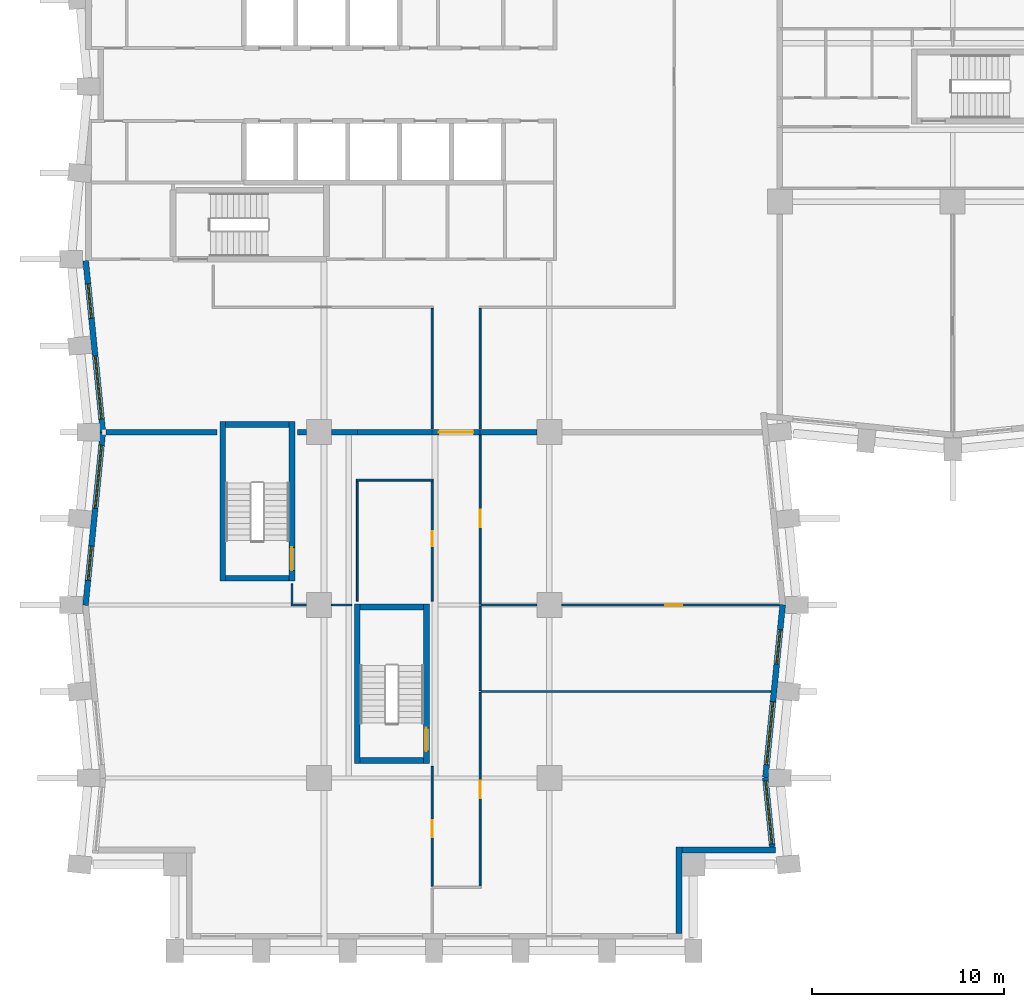
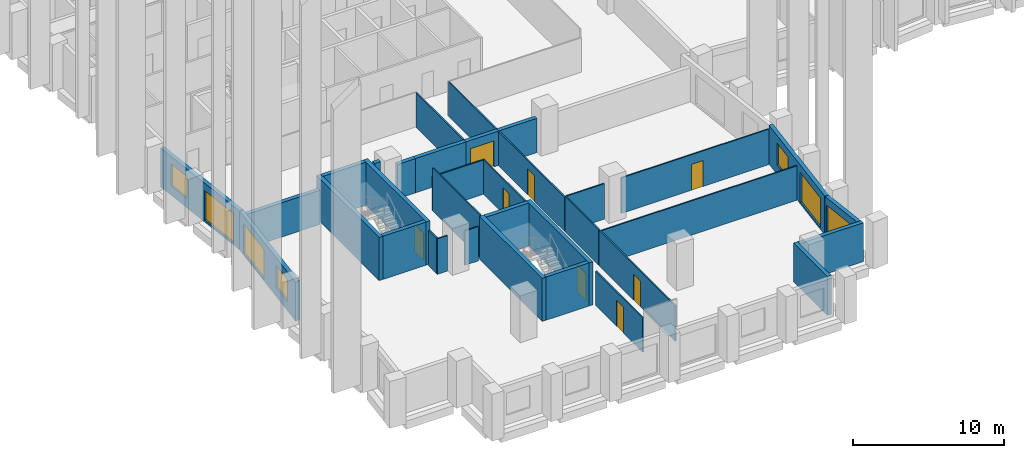
# One storey, part 4 of 12: 35 walls, 8 doors, 7 windows, 15 openings.
"""IFC4 building model written with IfcOpenShell, lengths in metres."""

from ifc_helpers import new_model, si_unit, direction, frame, frame_2d, origin, place, context, subcontext, project, spatial, rectangle, extrude, material, layer, layer_set, type_object, element, fill, save


model = new_model("IFC4")

# Units and contexts
model_context = context("Model", 3, precision=1e-05, world=origin(), true_north=direction((0.0, 1.0)))
body_context = subcontext(model_context, "Body", "Model", "MODEL_VIEW")
ifc_project = project(units=[si_unit("LENGTHUNIT", "METRE"), si_unit("AREAUNIT", "SQUARE_METRE"), si_unit("VOLUMEUNIT", "CUBIC_METRE"), si_unit("PLANEANGLEUNIT", "RADIAN"), si_unit("MASSUNIT", "GRAM", prefix="KILO")], contexts=[model_context])

# Site, building, storey
site_placement = place(None, origin())
site = spatial("IfcSite", under=ifc_project, at=site_placement, CompositionType="ELEMENT")
building_placement = place(site_placement, origin())
building = spatial("IfcBuilding", under=site, at=building_placement, Name="Brondeck Convention Tower", CompositionType="ELEMENT")
storey_placement = place(building_placement, frame((0.0, 0.0, 88.5)))
storey = spatial("IfcBuildingStorey", under=building, at=storey_placement, Name="L20", CompositionType="ELEMENT", Elevation=88.5)

# Walls
ifc_material_1 = material(Name="Concrete compartment wall C30/37", Category="concrete")
ifc_layer_1 = layer(ifc_material_1, 0.300048828125)
ifc_layer_set_1 = layer_set([ifc_layer_1], Name="Compartment wall 300")
wall_type_1 = type_object("IfcWallType", Name="Compartment wall 300", PredefinedType="PARTITIONING", material=ifc_layer_set_1)
wall_1_placement = place(storey_placement, frame((0.924560546875, 27.0, 0.0), z_axis=(0.0, 0.0, 1.0), x_axis=(1.0, 0.0, 0.0)))
element("IfcWall", 1, at=wall_1_placement, inside=storey, type_object=wall_type_1, Name="FLR-L20-W016", PredefinedType="PARTITIONING", context=body_context, shape_type="SweptSolid", body=[
    extrude(rectangle(XDim=5.775390625, YDim=0.300048828125, at=frame_2d((2.8876953125, 0.0))), origin(), (0.0, 0.0, 1.0), 2.780029296875),
])
wall_2_placement = place(storey_placement, frame((10.89990234375, 27.0, 0.0), z_axis=(0.0, 0.0, 1.0), x_axis=(1.0, 0.0, 0.0)))
element("IfcWall", 2, at=wall_2_placement, inside=storey, type_object=wall_type_1, Name="FLR-L20-W017", PredefinedType="PARTITIONING", context=body_context, shape_type="SweptSolid", body=[
    extrude(rectangle(XDim=0.445068359375, YDim=0.300048828125, at=frame_2d((0.22265625, 0.0))), origin(), (0.0, 0.0, 1.0), 3.47998046875),
])
wall_3_placement = place(storey_placement, frame((12.655029296875, 27.0, 0.0), z_axis=(0.0, 0.0, 1.0), x_axis=(1.0, 0.0, 0.0)))
element("IfcWall", 3, at=wall_3_placement, inside=storey, type_object=wall_type_1, Name="FLR-L20-W018", PredefinedType="PARTITIONING", context=body_context, shape_type="SweptSolid", body=[
    extrude(rectangle(XDim=1.344970703125, YDim=0.300048828125, at=frame_2d((0.67236328125, 0.0))), origin(), (0.0, 0.0, 1.0), 2.780029296875),
])
wall_4_placement = place(storey_placement, frame((14.0, 27.0, 0.0), z_axis=(0.0, 0.0, 1.0), x_axis=(1.0, 0.0, 0.0)))
element("IfcWall", 4, at=wall_4_placement, inside=storey, type_object=wall_type_1, Name="FLR-L20-W019", PredefinedType="PARTITIONING", context=body_context, shape_type="SweptSolid", body=[
    extrude(rectangle(XDim=3.89990234375, YDim=0.300048828125, at=frame_2d((1.949951171875, 0.0))), origin(), (0.0, 0.0, 1.0), 2.780029296875),
])

# Wall, opening, door
wall_5_placement = place(storey_placement, frame((20.39990234375, 27.0, 0.0), z_axis=(0.0, 0.0, 1.0), x_axis=(-1.0, 0.0, 0.0)))
wall_5 = element("IfcWall", 5, at=wall_5_placement, inside=storey, type_object=wall_type_1, Name="FLR-L20-W020", PredefinedType="PARTITIONING", context=body_context, shape_type="SweptSolid", body=[
    extrude(rectangle(XDim=2.5, YDim=0.300048828125, at=frame_2d((1.25, 0.0))), origin(), (0.0, 0.0, 1.0), 2.780029296875),
])
opening_1_placement = place(wall_5_placement, frame((0.35009765625, 0.0, 0.0)))
opening_1 = element("IfcOpeningElement", 6, at=opening_1_placement, cuts=wall_5, Name="Opening OF-A-024", PredefinedType="OPENING", context=body_context, shape_type="SweptSolid", body=[
    extrude(rectangle(XDim=1.800048828125, YDim=2.10009765625, at=frame_2d((0.89990234375, 1.050048828125))), frame((0.0, 0.159912109375, 0.0), z_axis=(0.0, -1.0, 0.0), x_axis=(1.0, 0.0, 0.0)), (0.0, 0.0, 1.0), 0.320068359375),
])
ifc_material_2 = material(Name="Steel fire door pair", Category="steel")
door_type_1 = type_object("IfcDoorType", Name="Fire door pair 1800", OperationType="DOUBLE_DOOR_SINGLE_SWING", PredefinedType="DOOR", material=ifc_material_2)
door_1_placement = place(opening_1_placement, origin())
door_1 = element("IfcDoor", 7, at=door_1_placement, inside=storey, type_object=door_type_1, Name="Door OF-A-024", OperationType="DOUBLE_DOOR_SINGLE_SWING", OverallHeight=2.10009765625, OverallWidth=1.800048828125, PredefinedType="DOOR", context=body_context, shape_type="SweptSolid", body=[
    extrude(rectangle(XDim=1.800048828125, YDim=2.10009765625, at=frame_2d((0.89990234375, 1.050048828125))), frame((0.0, 0.02490234375, 0.0), z_axis=(0.0, -1.0, 0.0), x_axis=(1.0, 0.0, 0.0)), (0.0, 0.0, 1.0), 0.050048828125),
])
fill(opening_1, door_1)

# Walls
wall_6_placement = place(storey_placement, frame((20.39990234375, 27.0, 0.0), z_axis=(0.0, 0.0, 1.0), x_axis=(1.0, 0.0, 0.0)))
element("IfcWall", 8, at=wall_6_placement, inside=storey, type_object=wall_type_1, Name="FLR-L20-W021", PredefinedType="PARTITIONING", context=body_context, shape_type="SweptSolid", body=[
    extrude(rectangle(XDim=2.945068359375, YDim=0.300048828125, at=frame_2d((1.47265625, 0.0))), origin(), (0.0, 0.0, 1.0), 2.780029296875),
])
ifc_material_3 = material(Name="Precast concrete C50/60 bronze finish", Category="concrete")
ifc_layer_2 = layer(ifc_material_3, 0.070068359375, Name="Bronze precast facing")
ifc_material_4 = material(Name="Mineral wool")
ifc_layer_3 = layer(ifc_material_4, 0.159912109375, Name="Insulation")
ifc_material_5 = material(Name="Concrete C35/45", Category="concrete")
ifc_layer_4 = layer(ifc_material_5, 0.070068359375, Name="Backing")
ifc_layer_set_2 = layer_set([ifc_layer_2, ifc_layer_3, ifc_layer_4], Name="External infill wall, precast concrete C50/60 bronze facing")
wall_type_2 = type_object("IfcWallType", Name="External infill wall, precast concrete C50/60 bronze facing", PredefinedType="SOLIDWALL", material=ifc_layer_set_2)
wall_7_placement = place(storey_placement, frame((30.75, 5.39990234375, 0.0), z_axis=(0.0, 0.0, 1.0), x_axis=(0.0, -1.0, 0.0)))
element("IfcWall", 9, at=wall_7_placement, inside=storey, type_object=wall_type_2, Name="ENV-EW-L20-P0-NC-SEB0-01", PredefinedType="SOLIDWALL", context=body_context, shape_type="SweptSolid", body=[
    extrude(rectangle(XDim=4.501953125, YDim=0.300048828125, at=frame_2d((2.2509765625, 0.0))), origin(), (0.0, 0.0, 1.0), 3.14990234375),
])
wall_8_placement = place(storey_placement, frame((35.787109375, 5.25, 0.0), z_axis=(0.0, 0.0, 1.0), x_axis=(-1.0, 0.0, 0.0)))
element("IfcWall", 10, at=wall_8_placement, inside=storey, type_object=wall_type_2, Name="ENV-EW-L20-P0-NC-SEB0-02", PredefinedType="SOLIDWALL", context=body_context, shape_type="SweptSolid", body=[
    extrude(rectangle(XDim=4.88720703125, YDim=0.300048828125, at=frame_2d((2.443603515625, 0.0))), origin(), (0.0, 0.0, 1.0), 3.14990234375),
])

# Wall, opening, window
wall_9_placement = place(storey_placement, frame((35.244873046875, 9.014892578125, 0.0), z_axis=(0.0, 0.0, 1.0), x_axis=(0.099470401798, -0.995040521369, 0.0)))
wall_9 = element("IfcWall", 11, at=wall_9_placement, inside=storey, type_object=wall_type_2, Name="ENV-EW-L20-P0-B-E-04", PredefinedType="SOLIDWALL", context=body_context, shape_type="SweptSolid", body=[
    extrude(rectangle(XDim=3.627685546875, YDim=0.300048828125, at=frame_2d((1.81396484375, 0.0))), origin(), (0.0, 0.0, 1.0), 3.14990234375),
])
opening_2_placement = place(wall_9_placement, frame((0.177734375, 0.0, 0.14990234375)))
opening_2 = element("IfcOpeningElement", 12, at=opening_2_placement, cuts=wall_9, Name="Opening W9", PredefinedType="OPENING", context=body_context, shape_type="SweptSolid", body=[
    extrude(rectangle(XDim=3.300048828125, YDim=2.39990234375, at=frame_2d((1.64990234375, 1.199951171875))), frame((0.0, 0.159912109375, 0.0), z_axis=(0.0, -1.0, 0.0), x_axis=(1.0, 0.0, 0.0)), (0.0, 0.0, 1.0), 0.320068359375),
])
ifc_material_6 = material(Name="Bronze tinted double glazing", Category="glass")
window_type_1 = type_object("IfcWindowType", Name="Glazed flute window, bronze tinted", PartitioningType="SINGLE_PANEL", PredefinedType="WINDOW", material=ifc_material_6)
window_1_placement = place(opening_2_placement, origin())
window_1 = element("IfcWindow", 13, at=window_1_placement, inside=storey, type_object=window_type_1, Name="ENV-WN-L20-P0-B-E-04", OverallHeight=2.39990234375, OverallWidth=3.300048828125, PartitioningType="SINGLE_PANEL", PredefinedType="WINDOW", context=body_context, shape_type="SweptSolid", body=[
    extrude(rectangle(XDim=3.300048828125, YDim=2.39990234375, at=frame_2d((1.64990234375, 1.199951171875))), frame((0.0, 0.030029296875, 0.0), z_axis=(0.0, -1.0, 0.0), x_axis=(1.0, 0.0, 0.0)), (0.0, 0.0, 1.0), 0.06005859375),
])
fill(opening_2, window_1)

# Wall, openings, windows
wall_10_placement = place(storey_placement, frame((36.147705078125, 18.014892578125, 0.0), z_axis=(0.0, 0.0, 1.0), x_axis=(-0.099495688264, -0.995037993253, 0.0)))
wall_10 = element("IfcWall", 14, at=wall_10_placement, inside=storey, type_object=wall_type_2, Name="ENV-EW-L20-P0-B-E-03", PredefinedType="SOLIDWALL", context=body_context, shape_type="SweptSolid", body=[
    extrude(rectangle(XDim=9.030029296875, YDim=0.300048828125, at=frame_2d((4.51513671875, 0.0))), origin(), (0.0, 0.0, 1.0), 3.14990234375),
])
opening_3_placement = place(wall_10_placement, frame((1.30126953125, 0.0, 0.75)))
opening_3 = element("IfcOpeningElement", 15, at=opening_3_placement, cuts=wall_10, Name="Opening W10", PredefinedType="OPENING", context=body_context, shape_type="SweptSolid", body=[
    extrude(rectangle(XDim=1.800048828125, YDim=1.800048828125, at=frame_2d((0.89990234375, 0.89990234375))), frame((0.0, 0.159912109375, 0.0), z_axis=(0.0, -1.0, 0.0), x_axis=(1.0, 0.0, 0.0)), (0.0, 0.0, 1.0), 0.320068359375),
])
opening_4_placement = place(wall_10_placement, frame((5.073486328125, 0.0, 0.14990234375)))
opening_4 = element("IfcOpeningElement", 16, at=opening_4_placement, cuts=wall_10, Name="Opening W9", PredefinedType="OPENING", context=body_context, shape_type="SweptSolid", body=[
    extrude(rectangle(XDim=3.300048828125, YDim=2.39990234375, at=frame_2d((1.64990234375, 1.199951171875))), frame((0.0, 0.159912109375, 0.0), z_axis=(0.0, -1.0, 0.0), x_axis=(1.0, 0.0, 0.0)), (0.0, 0.0, 1.0), 0.320068359375),
])
window_2_placement = place(opening_4_placement, origin())
window_2 = element("IfcWindow", 17, at=window_2_placement, inside=storey, type_object=window_type_1, Name="ENV-WN-L20-P0-B-E-03", OverallHeight=2.39990234375, OverallWidth=3.300048828125, PartitioningType="SINGLE_PANEL", PredefinedType="WINDOW", context=body_context, shape_type="SweptSolid", body=[
    extrude(rectangle(XDim=3.300048828125, YDim=2.39990234375, at=frame_2d((1.64990234375, 1.199951171875))), frame((0.0, 0.030029296875, 0.0), z_axis=(0.0, -1.0, 0.0), x_axis=(1.0, 0.0, 0.0)), (0.0, 0.0, 1.0), 0.06005859375),
])
fill(opening_4, window_2)
window_type_2 = type_object("IfcWindowType", Name="Punched window, bronze tinted", PartitioningType="SINGLE_PANEL", PredefinedType="WINDOW", material=ifc_material_6)
window_3_placement = place(opening_3_placement, origin())
window_3 = element("IfcWindow", 18, at=window_3_placement, inside=storey, type_object=window_type_2, Name="ENV-WN-L20-P0-B-E-02", OverallHeight=1.800048828125, OverallWidth=1.800048828125, PartitioningType="SINGLE_PANEL", PredefinedType="WINDOW", context=body_context, shape_type="SweptSolid", body=[
    extrude(rectangle(XDim=1.800048828125, YDim=1.800048828125, at=frame_2d((0.89990234375, 0.89990234375))), frame((0.0, 0.030029296875, 0.0), z_axis=(0.0, -1.0, 0.0), x_axis=(1.0, 0.0, 0.0)), (0.0, 0.0, 1.0), 0.06005859375),
])
fill(opening_3, window_3)

wall_11_placement = place(storey_placement, frame((0.755126953125, 26.985107421875, 0.0), z_axis=(0.0, 0.0, 1.0), x_axis=(-0.099479505633, 0.995039611251, 0.0)))
wall_11 = element("IfcWall", 19, at=wall_11_placement, inside=storey, type_object=wall_type_2, Name="ENV-EW-L20-P0-B-W-06", PredefinedType="SOLIDWALL", context=body_context, shape_type="SweptSolid", body=[
    extrude(rectangle(XDim=8.98486328125, YDim=0.300048828125, at=frame_2d((4.492431640625, 0.0))), origin(), (0.0, 0.0, 1.0), 3.14990234375),
])
opening_5_placement = place(wall_11_placement, frame((0.701171875, 0.0, 0.14990234375)))
opening_5 = element("IfcOpeningElement", 20, at=opening_5_placement, cuts=wall_11, Name="Opening W9", PredefinedType="OPENING", context=body_context, shape_type="SweptSolid", body=[
    extrude(rectangle(XDim=3.300048828125, YDim=2.39990234375, at=frame_2d((1.64990234375, 1.199951171875))), frame((0.0, 0.159912109375, 0.0), z_axis=(0.0, -1.0, 0.0), x_axis=(1.0, 0.0, 0.0)), (0.0, 0.0, 1.0), 0.320068359375),
])
opening_6_placement = place(wall_11_placement, frame((5.9736328125, 0.0, 0.75)))
opening_6 = element("IfcOpeningElement", 21, at=opening_6_placement, cuts=wall_11, Name="Opening W10", PredefinedType="OPENING", context=body_context, shape_type="SweptSolid", body=[
    extrude(rectangle(XDim=1.800048828125, YDim=1.800048828125, at=frame_2d((0.89990234375, 0.89990234375))), frame((0.0, 0.159912109375, 0.0), z_axis=(0.0, -1.0, 0.0), x_axis=(1.0, 0.0, 0.0)), (0.0, 0.0, 1.0), 0.320068359375),
])
window_4_placement = place(opening_5_placement, origin())
window_4 = element("IfcWindow", 22, at=window_4_placement, inside=storey, type_object=window_type_1, Name="ENV-WN-L20-P0-B-W-07", OverallHeight=2.39990234375, OverallWidth=3.300048828125, PartitioningType="SINGLE_PANEL", PredefinedType="WINDOW", context=body_context, shape_type="SweptSolid", body=[
    extrude(rectangle(XDim=3.300048828125, YDim=2.39990234375, at=frame_2d((1.64990234375, 1.199951171875))), frame((0.0, 0.030029296875, 0.0), z_axis=(0.0, -1.0, 0.0), x_axis=(1.0, 0.0, 0.0)), (0.0, 0.0, 1.0), 0.06005859375),
])
fill(opening_5, window_4)
window_5_placement = place(opening_6_placement, origin())
window_5 = element("IfcWindow", 23, at=window_5_placement, inside=storey, type_object=window_type_2, Name="ENV-WN-L20-P0-B-W-06", OverallHeight=1.800048828125, OverallWidth=1.800048828125, PartitioningType="SINGLE_PANEL", PredefinedType="WINDOW", context=body_context, shape_type="SweptSolid", body=[
    extrude(rectangle(XDim=1.800048828125, YDim=1.800048828125, at=frame_2d((0.89990234375, 0.89990234375))), frame((0.0, 0.030029296875, 0.0), z_axis=(0.0, -1.0, 0.0), x_axis=(1.0, 0.0, 0.0)), (0.0, 0.0, 1.0), 0.06005859375),
])
fill(opening_6, window_5)

wall_12_placement = place(storey_placement, frame((-0.147705078125, 17.985107421875, 0.0), z_axis=(0.0, 0.0, 1.0), x_axis=(0.099495688264, 0.995037993253, 0.0)))
wall_12 = element("IfcWall", 24, at=wall_12_placement, inside=storey, type_object=wall_type_2, Name="ENV-EW-L20-P0-B-W-08", PredefinedType="SOLIDWALL", context=body_context, shape_type="SweptSolid", body=[
    extrude(rectangle(XDim=9.030029296875, YDim=0.300048828125, at=frame_2d((4.51513671875, 0.0))), origin(), (0.0, 0.0, 1.0), 3.14990234375),
])
opening_7_placement = place(wall_12_placement, frame((1.30126953125, 0.0, 0.75)))
opening_7 = element("IfcOpeningElement", 25, at=opening_7_placement, cuts=wall_12, Name="Opening W10", PredefinedType="OPENING", context=body_context, shape_type="SweptSolid", body=[
    extrude(rectangle(XDim=1.800048828125, YDim=1.800048828125, at=frame_2d((0.89990234375, 0.89990234375))), frame((0.0, 0.159912109375, 0.0), z_axis=(0.0, -1.0, 0.0), x_axis=(1.0, 0.0, 0.0)), (0.0, 0.0, 1.0), 0.320068359375),
])
opening_8_placement = place(wall_12_placement, frame((5.073486328125, 0.0, 0.14990234375)))
opening_8 = element("IfcOpeningElement", 26, at=opening_8_placement, cuts=wall_12, Name="Opening W9", PredefinedType="OPENING", context=body_context, shape_type="SweptSolid", body=[
    extrude(rectangle(XDim=3.300048828125, YDim=2.39990234375, at=frame_2d((1.64990234375, 1.199951171875))), frame((0.0, 0.159912109375, 0.0), z_axis=(0.0, -1.0, 0.0), x_axis=(1.0, 0.0, 0.0)), (0.0, 0.0, 1.0), 0.320068359375),
])
window_6_placement = place(opening_8_placement, origin())
window_6 = element("IfcWindow", 27, at=window_6_placement, inside=storey, type_object=window_type_1, Name="ENV-WN-L20-P0-B-W-08", OverallHeight=2.39990234375, OverallWidth=3.300048828125, PartitioningType="SINGLE_PANEL", PredefinedType="WINDOW", context=body_context, shape_type="SweptSolid", body=[
    extrude(rectangle(XDim=3.300048828125, YDim=2.39990234375, at=frame_2d((1.64990234375, 1.199951171875))), frame((0.0, 0.030029296875, 0.0), z_axis=(0.0, -1.0, 0.0), x_axis=(1.0, 0.0, 0.0)), (0.0, 0.0, 1.0), 0.06005859375),
])
fill(opening_8, window_6)
window_7_placement = place(opening_7_placement, origin())
window_7 = element("IfcWindow", 28, at=window_7_placement, inside=storey, type_object=window_type_2, Name="ENV-WN-L20-P0-B-W-09", OverallHeight=1.800048828125, OverallWidth=1.800048828125, PartitioningType="SINGLE_PANEL", PredefinedType="WINDOW", context=body_context, shape_type="SweptSolid", body=[
    extrude(rectangle(XDim=1.800048828125, YDim=1.800048828125, at=frame_2d((0.89990234375, 0.89990234375))), frame((0.0, 0.030029296875, 0.0), z_axis=(0.0, -1.0, 0.0), x_axis=(1.0, 0.0, 0.0)), (0.0, 0.0, 1.0), 0.06005859375),
])
fill(opening_7, window_7)

# Wall, opening, door
ifc_material_7 = material(Name="Gypsum board partition on steel studs", Category="steel")
ifc_layer_5 = layer(ifc_material_7, 0.10009765625)
ifc_layer_set_3 = layer_set([ifc_layer_5], Name="Room partition 100")
wall_type_3 = type_object("IfcWallType", Name="Room partition 100", PredefinedType="PARTITIONING", material=ifc_layer_set_3)
wall_13_placement = place(storey_placement, frame((17.89990234375, 3.35009765625, 0.0), z_axis=(0.0, 0.0, 1.0), x_axis=(0.0, 1.0, 0.0)))
wall_13 = element("IfcWall", 29, at=wall_13_placement, inside=storey, type_object=wall_type_3, Name="FLR-L20-W003", PredefinedType="PARTITIONING", context=body_context, shape_type="SweptSolid", body=[
    extrude(rectangle(XDim=6.25, YDim=0.10009765625, at=frame_2d((3.125, 0.0))), origin(), (0.0, 0.0, 1.0), 2.780029296875),
])
opening_9_placement = place(wall_13_placement, frame((2.550048828125, 0.0, 0.0)))
opening_9 = element("IfcOpeningElement", 30, at=opening_9_placement, cuts=wall_13, Name="Opening OF-A-021", PredefinedType="OPENING", context=body_context, shape_type="SweptSolid", body=[
    extrude(rectangle(XDim=0.89990234375, YDim=2.10009765625, at=frame_2d((0.449951171875, 1.050048828125))), frame((0.0, 0.06005859375, 0.0), z_axis=(0.0, -1.0, 0.0), x_axis=(1.0, 0.0, 0.0)), (0.0, 0.0, 1.0), 0.1201171875),
])
ifc_material_8 = material(Name="Solid timber door leaf", Category="wood")
door_type_2 = type_object("IfcDoorType", Name="Single door 900", OperationType="NOTDEFINED", PredefinedType="DOOR", material=ifc_material_8)
door_2_placement = place(opening_9_placement, origin())
door_2 = element("IfcDoor", 31, at=door_2_placement, inside=storey, type_object=door_type_2, Name="Door OF-A-021", OperationType="SINGLE_SWING_LEFT", OverallHeight=2.10009765625, OverallWidth=0.89990234375, PredefinedType="DOOR", context=body_context, shape_type="SweptSolid", body=[
    extrude(rectangle(XDim=0.89990234375, YDim=2.10009765625, at=frame_2d((0.449951171875, 1.050048828125))), frame((0.0, 0.02490234375, 0.0), z_axis=(0.0, -1.0, 0.0), x_axis=(1.0, 0.0, 0.0)), (0.0, 0.0, 1.0), 0.050048828125),
])
fill(opening_9, door_2)

wall_14_placement = place(storey_placement, frame((20.39990234375, 13.449951171875, 0.0), z_axis=(0.0, 0.0, 1.0), x_axis=(0.0, -1.0, 0.0)))
wall_14 = element("IfcWall", 32, at=wall_14_placement, inside=storey, type_object=wall_type_3, Name="FLR-L20-W004", PredefinedType="PARTITIONING", context=body_context, shape_type="SweptSolid", body=[
    extrude(rectangle(XDim=10.099853515625, YDim=0.10009765625, at=frame_2d((5.0498046875, 0.0))), origin(), (0.0, 0.0, 1.0), 2.8798828125),
])
opening_10_placement = place(wall_14_placement, frame((4.60009765625, 0.0, 0.0)))
opening_10 = element("IfcOpeningElement", 33, at=opening_10_placement, cuts=wall_14, Name="Opening OF-A-020", PredefinedType="OPENING", context=body_context, shape_type="SweptSolid", body=[
    extrude(rectangle(XDim=0.89990234375, YDim=2.10009765625, at=frame_2d((0.449951171875, 1.050048828125))), frame((0.0, 0.06005859375, 0.0), z_axis=(0.0, -1.0, 0.0), x_axis=(1.0, 0.0, 0.0)), (0.0, 0.0, 1.0), 0.1201171875),
])
door_3_placement = place(opening_10_placement, origin())
door_3 = element("IfcDoor", 34, at=door_3_placement, inside=storey, type_object=door_type_2, Name="Door OF-A-020", OperationType="SINGLE_SWING_LEFT", OverallHeight=2.10009765625, OverallWidth=0.89990234375, PredefinedType="DOOR", context=body_context, shape_type="SweptSolid", body=[
    extrude(rectangle(XDim=0.89990234375, YDim=2.10009765625, at=frame_2d((0.449951171875, 1.050048828125))), frame((0.0, 0.02490234375, 0.0), z_axis=(0.0, -1.0, 0.0), x_axis=(1.0, 0.0, 0.0)), (0.0, 0.0, 1.0), 0.050048828125),
])
fill(opening_10, door_3)

# Walls
wall_15_placement = place(storey_placement, frame((35.525390625, 13.5, 0.0), z_axis=(0.0, 0.0, 1.0), x_axis=(-1.0, 0.0, 0.0)))
element("IfcWall", 35, at=wall_15_placement, inside=storey, type_object=wall_type_3, Name="FLR-L20-W005", PredefinedType="PARTITIONING", context=body_context, shape_type="SweptSolid", body=[
    extrude(rectangle(XDim=15.075439453125, YDim=0.10009765625, at=frame_2d((7.53759765625, 0.0))), origin(), (0.0, 0.0, 1.0), 2.780029296875),
])
wall_16_placement = place(storey_placement, frame((20.39990234375, 17.949951171875, 0.0), z_axis=(0.0, 0.0, 1.0), x_axis=(0.0, -1.0, 0.0)))
element("IfcWall", 36, at=wall_16_placement, inside=storey, type_object=wall_type_3, Name="FLR-L20-W006", PredefinedType="PARTITIONING", context=body_context, shape_type="SweptSolid", body=[
    extrude(rectangle(XDim=4.39990234375, YDim=0.10009765625, at=frame_2d((2.199951171875, 0.0))), origin(), (0.0, 0.0, 1.0), 2.8798828125),
])
wall_17_placement = place(storey_placement, frame((11.344970703125, 18.0, 0.0), z_axis=(0.0, 0.0, 1.0), x_axis=(-1.0, 0.0, 0.0)))
element("IfcWall", 37, at=wall_17_placement, inside=storey, type_object=wall_type_3, Name="FLR-L20-W007", PredefinedType="PARTITIONING", context=body_context, shape_type="SweptSolid", body=[
    extrude(rectangle(XDim=0.794921875, YDim=0.10009765625, at=frame_2d((0.3974609375, 0.0))), origin(), (0.0, 0.0, 1.0), 2.8798828125),
])
wall_18_placement = place(storey_placement, frame((13.699951171875, 18.0, 0.0), z_axis=(0.0, 0.0, 1.0), x_axis=(-1.0, 0.0, 0.0)))
element("IfcWall", 38, at=wall_18_placement, inside=storey, type_object=wall_type_3, Name="FLR-L20-W008", PredefinedType="PARTITIONING", context=body_context, shape_type="SweptSolid", body=[
    extrude(rectangle(XDim=1.044921875, YDim=0.10009765625, at=frame_2d((0.5224609375, 0.0))), origin(), (0.0, 0.0, 1.0), 2.780029296875),
])
wall_19_placement = place(storey_placement, frame((23.344970703125, 18.0, 0.0), z_axis=(0.0, 0.0, 1.0), x_axis=(-1.0, 0.0, 0.0)))
element("IfcWall", 39, at=wall_19_placement, inside=storey, type_object=wall_type_3, Name="FLR-L20-W009", PredefinedType="PARTITIONING", context=body_context, shape_type="SweptSolid", body=[
    extrude(rectangle(XDim=2.89501953125, YDim=0.10009765625, at=frame_2d((1.447509765625, 0.0))), origin(), (0.0, 0.0, 1.0), 2.8798828125),
])

# Wall, opening, door
wall_20_placement = place(storey_placement, frame((35.9755859375, 18.0, 0.0), z_axis=(0.0, 0.0, 1.0), x_axis=(-1.0, 0.0, 0.0)))
wall_20 = element("IfcWall", 40, at=wall_20_placement, inside=storey, type_object=wall_type_3, Name="FLR-L20-W010", PredefinedType="PARTITIONING", context=body_context, shape_type="SweptSolid", body=[
    extrude(rectangle(XDim=11.320556640625, YDim=0.10009765625, at=frame_2d((5.66015625, 0.0))), origin(), (0.0, 0.0, 1.0), 2.8798828125),
])
opening_11_placement = place(wall_20_placement, frame((5.050537109375, 0.0, 0.0)))
opening_11 = element("IfcOpeningElement", 41, at=opening_11_placement, cuts=wall_20, Name="Opening OF-A-019", PredefinedType="OPENING", context=body_context, shape_type="SweptSolid", body=[
    extrude(rectangle(XDim=0.89990234375, YDim=2.10009765625, at=frame_2d((0.449951171875, 1.050048828125))), frame((0.0, 0.06005859375, 0.0), z_axis=(0.0, -1.0, 0.0), x_axis=(1.0, 0.0, 0.0)), (0.0, 0.0, 1.0), 0.1201171875),
])
door_4_placement = place(opening_11_placement, origin())
door_4 = element("IfcDoor", 42, at=door_4_placement, inside=storey, type_object=door_type_2, Name="Door OF-A-019", OperationType="SINGLE_SWING_LEFT", OverallHeight=2.10009765625, OverallWidth=0.89990234375, PredefinedType="DOOR", context=body_context, shape_type="SweptSolid", body=[
    extrude(rectangle(XDim=0.89990234375, YDim=2.10009765625, at=frame_2d((0.449951171875, 1.050048828125))), frame((0.0, 0.02490234375, 0.0), z_axis=(0.0, -1.0, 0.0), x_axis=(1.0, 0.0, 0.0)), (0.0, 0.0, 1.0), 0.050048828125),
])
fill(opening_11, door_4)

# Wall
wall_21_placement = place(storey_placement, frame((10.60009765625, 18.050048828125, 0.0), z_axis=(0.0, 0.0, 1.0), x_axis=(0.0, 1.0, 0.0)))
element("IfcWall", 43, at=wall_21_placement, inside=storey, type_object=wall_type_3, Name="FLR-L20-W011", PredefinedType="PARTITIONING", context=body_context, shape_type="SweptSolid", body=[
    extrude(rectangle(XDim=1.050048828125, YDim=0.10009765625, at=frame_2d((0.52490234375, 0.0))), origin(), (0.0, 0.0, 1.0), 2.8798828125),
])

# Wall, opening, door
wall_22_placement = place(storey_placement, frame((17.89990234375, 18.199951171875, 0.0), z_axis=(0.0, 0.0, 1.0), x_axis=(0.0, 1.0, 0.0)))
wall_22 = element("IfcWall", 44, at=wall_22_placement, inside=storey, type_object=wall_type_3, Name="FLR-L20-W012", PredefinedType="PARTITIONING", context=body_context, shape_type="SweptSolid", body=[
    extrude(rectangle(XDim=6.25, YDim=0.10009765625, at=frame_2d((3.125, 0.0))), origin(), (0.0, 0.0, 1.0), 2.780029296875),
])
opening_12_placement = place(wall_22_placement, frame((2.85009765625, 0.0, 0.0)))
opening_12 = element("IfcOpeningElement", 45, at=opening_12_placement, cuts=wall_22, Name="Opening OF-A-001", PredefinedType="OPENING", context=body_context, shape_type="SweptSolid", body=[
    extrude(rectangle(XDim=0.800048828125, YDim=2.10009765625, at=frame_2d((0.39990234375, 1.050048828125))), frame((0.0, 0.06005859375, 0.0), z_axis=(0.0, -1.0, 0.0), x_axis=(1.0, 0.0, 0.0)), (0.0, 0.0, 1.0), 0.1201171875),
])
ifc_material_9 = material(Name="Steel service door leaf", Category="steel")
door_type_3 = type_object("IfcDoorType", Name="Service door 800", OperationType="NOTDEFINED", PredefinedType="DOOR", material=ifc_material_9)
door_5_placement = place(opening_12_placement, origin())
door_5 = element("IfcDoor", 46, at=door_5_placement, inside=storey, type_object=door_type_3, Name="Door OF-A-001", OperationType="SINGLE_SWING_LEFT", OverallHeight=2.10009765625, OverallWidth=0.800048828125, PredefinedType="DOOR", context=body_context, shape_type="SweptSolid", body=[
    extrude(rectangle(XDim=0.800048828125, YDim=2.10009765625, at=frame_2d((0.39990234375, 1.050048828125))), frame((0.0, 0.02490234375, 0.0), z_axis=(0.0, -1.0, 0.0), x_axis=(1.0, 0.0, 0.0)), (0.0, 0.0, 1.0), 0.050048828125),
])
fill(opening_12, door_5)

# Walls
wall_23_placement = place(storey_placement, frame((14.0, 24.449951171875, 0.0), z_axis=(0.0, 0.0, 1.0), x_axis=(0.0, -1.0, 0.0)))
element("IfcWall", 47, at=wall_23_placement, inside=storey, type_object=wall_type_3, Name="FLR-L20-W013", PredefinedType="PARTITIONING", context=body_context, shape_type="SweptSolid", body=[
    extrude(rectangle(XDim=6.25, YDim=0.10009765625, at=frame_2d((3.125, 0.0))), origin(), (0.0, 0.0, 1.0), 3.47998046875),
])
wall_24_placement = place(storey_placement, frame((17.949951171875, 24.5, 0.0), z_axis=(0.0, 0.0, 1.0), x_axis=(-1.0, 0.0, 0.0)))
element("IfcWall", 48, at=wall_24_placement, inside=storey, type_object=wall_type_3, Name="FLR-L20-W014", PredefinedType="PARTITIONING", context=body_context, shape_type="SweptSolid", body=[
    extrude(rectangle(XDim=4.0, YDim=0.10009765625, at=frame_2d((2.0, 0.0))), origin(), (0.0, 0.0, 1.0), 2.780029296875),
])

# Wall, opening, door
wall_25_placement = place(storey_placement, frame((20.39990234375, 26.830078125, 0.0), z_axis=(0.0, 0.0, 1.0), x_axis=(0.0, -1.0, 0.0)))
wall_25 = element("IfcWall", 49, at=wall_25_placement, inside=storey, type_object=wall_type_3, Name="FLR-L20-W015", PredefinedType="PARTITIONING", context=body_context, shape_type="SweptSolid", body=[
    extrude(rectangle(XDim=8.780029296875, YDim=0.10009765625, at=frame_2d((4.39013671875, 0.0))), origin(), (0.0, 0.0, 1.0), 2.780029296875),
])
opening_13_placement = place(wall_25_placement, frame((3.8798828125, 0.0, 0.0)))
opening_13 = element("IfcOpeningElement", 50, at=opening_13_placement, cuts=wall_25, Name="Opening OF-A-018", PredefinedType="OPENING", context=body_context, shape_type="SweptSolid", body=[
    extrude(rectangle(XDim=0.89990234375, YDim=2.10009765625, at=frame_2d((0.449951171875, 1.050048828125))), frame((0.0, 0.06005859375, 0.0), z_axis=(0.0, -1.0, 0.0), x_axis=(1.0, 0.0, 0.0)), (0.0, 0.0, 1.0), 0.1201171875),
])
door_6_placement = place(opening_13_placement, origin())
door_6 = element("IfcDoor", 51, at=door_6_placement, inside=storey, type_object=door_type_2, Name="Door OF-A-018", OperationType="SINGLE_SWING_LEFT", OverallHeight=2.10009765625, OverallWidth=0.89990234375, PredefinedType="DOOR", context=body_context, shape_type="SweptSolid", body=[
    extrude(rectangle(XDim=0.89990234375, YDim=2.10009765625, at=frame_2d((0.449951171875, 1.050048828125))), frame((0.0, 0.02490234375, 0.0), z_axis=(0.0, -1.0, 0.0), x_axis=(1.0, 0.0, 0.0)), (0.0, 0.0, 1.0), 0.050048828125),
])
fill(opening_13, door_6)

# Walls
for number, where, z_axis, x_axis, name in (
    (52, (17.89990234375, 27.169921875, 0.0), (0.0, 0.0, 1.0), (0.0, 1.0, 0.0), "FLR-L20-W023"),
    (53, (20.39990234375, 33.449951171875, 0.0), (0.0, 0.0, 1.0), (0.0, -1.0, 0.0), "FLR-L20-W025"),
):
    element("IfcWall", number, at=place(storey_placement, frame(where, z_axis=z_axis, x_axis=x_axis)), inside=storey, type_object=wall_type_3, Name=name, PredefinedType="PARTITIONING", context=body_context, shape_type="SweptSolid", body=[
        extrude(rectangle(XDim=6.280029296875, YDim=0.10009765625, at=frame_2d((3.14013671875, 0.0))), origin(), (0.0, 0.0, 1.0), 2.780029296875),
    ])
ifc_material_10 = material(Name="Concrete C70/85", Category="concrete")
ifc_layer_6 = layer(ifc_material_10, 0.300048828125)
ifc_layer_set_4 = layer_set([ifc_layer_6], Name="Stair enclosure wall 300 Concrete C70/85")
wall_type_4 = type_object("IfcWallType", Name="Stair enclosure wall 300 Concrete C70/85", PredefinedType="SHEAR", material=ifc_layer_set_4)
for number, where, z_axis, x_axis, name in (
    (54, (14.14990234375, 9.89990234375, 0.0), (0.0, 0.0, 1.0), (1.0, 0.0, 0.0), "L20 core wall"),
    (55, (14.14990234375, 17.89990234375, 0.0), (0.0, 0.0, 1.0), (1.0, 0.0, 0.0), "L20 core wall"),
    (56, (7.14990234375, 19.39990234375, 0.0), (0.0, 0.0, 1.0), (1.0, 0.0, 0.0), "L20 core wall"),
    (57, (7.14990234375, 27.39990234375, 0.0), (0.0, 0.0, 1.0), (1.0, 0.0, 0.0), "L20 core wall"),
):
    element("IfcWall", number, at=place(storey_placement, frame(where, z_axis=z_axis, x_axis=x_axis)), inside=storey, type_object=wall_type_4, Name=name, PredefinedType="SHEAR", context=body_context, shape_type="SweptSolid", body=[
        extrude(rectangle(XDim=3.300048828125, YDim=0.300048828125, at=frame_2d((1.64990234375, 0.0))), origin(), (0.0, 0.0, 1.0), 3.5),
    ])
wall_26_placement = place(storey_placement, frame((7.0, 19.25, 0.0), z_axis=(0.0, 0.0, 1.0), x_axis=(0.0, 1.0, 0.0)))
element("IfcWall", 58, at=wall_26_placement, inside=storey, type_object=wall_type_4, Name="L20 core wall", PredefinedType="SHEAR", context=body_context, shape_type="SweptSolid", body=[
    extrude(rectangle(XDim=8.300048828125, YDim=0.300048828125, at=frame_2d((4.14990234375, 0.0))), origin(), (0.0, 0.0, 1.0), 3.5),
])

# Wall, opening, door
wall_27_placement = place(storey_placement, frame((10.60009765625, 19.25, 0.0), z_axis=(0.0, 0.0, 1.0), x_axis=(0.0, 1.0, 0.0)))
wall_27 = element("IfcWall", 59, at=wall_27_placement, inside=storey, type_object=wall_type_4, Name="L20 core wall", PredefinedType="SHEAR", context=body_context, shape_type="SweptSolid", body=[
    extrude(rectangle(XDim=8.300048828125, YDim=0.300048828125, at=frame_2d((4.14990234375, 0.0))), origin(), (0.0, 0.0, 1.0), 3.5),
])
opening_14_placement = place(wall_27_placement, frame((0.550048828125, 0.0, 0.0)))
opening_14 = element("IfcOpeningElement", 60, at=opening_14_placement, cuts=wall_27, Name="Opening C14-22", PredefinedType="OPENING", context=body_context, shape_type="SweptSolid", body=[
    extrude(rectangle(XDim=1.199951171875, YDim=2.199951171875, at=frame_2d((0.60009765625, 1.10009765625))), frame((0.0, 0.159912109375, 0.0), z_axis=(0.0, -1.0, 0.0), x_axis=(1.0, 0.0, 0.0)), (0.0, 0.0, 1.0), 0.320068359375),
])
ifc_material_11 = material(Name="Steel fire door", Category="steel")
door_type_4 = type_object("IfcDoorType", Name="Stair door 1200x2200 EI 90", OperationType="NOTDEFINED", PredefinedType="DOOR", material=ifc_material_11)
door_7_placement = place(opening_14_placement, origin())
door_7 = element("IfcDoor", 61, at=door_7_placement, inside=storey, type_object=door_type_4, Name="L20 Stair door ST-BE", OperationType="SINGLE_SWING_RIGHT", OverallHeight=2.199951171875, OverallWidth=1.199951171875, PredefinedType="DOOR", context=body_context, shape_type="SweptSolid", body=[
    extrude(rectangle(XDim=1.199951171875, YDim=2.199951171875, at=frame_2d((0.60009765625, 1.10009765625))), frame((0.0, 0.02490234375, 0.0), z_axis=(0.0, -1.0, 0.0), x_axis=(1.0, 0.0, 0.0)), (0.0, 0.0, 1.0), 0.050048828125),
])
fill(opening_14, door_7)

# Wall
wall_28_placement = place(storey_placement, frame((14.0, 9.75, 0.0), z_axis=(0.0, 0.0, 1.0), x_axis=(0.0, 1.0, 0.0)))
element("IfcWall", 62, at=wall_28_placement, inside=storey, type_object=wall_type_4, Name="L20 core wall", PredefinedType="SHEAR", context=body_context, shape_type="SweptSolid", body=[
    extrude(rectangle(XDim=8.300048828125, YDim=0.300048828125, at=frame_2d((4.14990234375, 0.0))), origin(), (0.0, 0.0, 1.0), 3.5),
])

# Wall, opening, door
wall_29_placement = place(storey_placement, frame((17.60009765625, 9.75, 0.0), z_axis=(0.0, 0.0, 1.0), x_axis=(0.0, 1.0, 0.0)))
wall_29 = element("IfcWall", 63, at=wall_29_placement, inside=storey, type_object=wall_type_4, Name="L20 core wall", PredefinedType="SHEAR", context=body_context, shape_type="SweptSolid", body=[
    extrude(rectangle(XDim=8.300048828125, YDim=0.300048828125, at=frame_2d((4.14990234375, 0.0))), origin(), (0.0, 0.0, 1.0), 3.5),
])
opening_15_placement = place(wall_29_placement, frame((0.64990234375, 0.0, 0.0)))
opening_15 = element("IfcOpeningElement", 64, at=opening_15_placement, cuts=wall_29, Name="Opening C14-23", PredefinedType="OPENING", context=body_context, shape_type="SweptSolid", body=[
    extrude(rectangle(XDim=1.199951171875, YDim=2.199951171875, at=frame_2d((0.60009765625, 1.10009765625))), frame((0.0, 0.159912109375, 0.0), z_axis=(0.0, -1.0, 0.0), x_axis=(1.0, 0.0, 0.0)), (0.0, 0.0, 1.0), 0.320068359375),
])
door_8_placement = place(opening_15_placement, origin())
door_8 = element("IfcDoor", 65, at=door_8_placement, inside=storey, type_object=door_type_4, Name="L20 Stair door ST-BF", OperationType="SINGLE_SWING_LEFT", OverallHeight=2.199951171875, OverallWidth=1.199951171875, PredefinedType="DOOR", context=body_context, shape_type="SweptSolid", body=[
    extrude(rectangle(XDim=1.199951171875, YDim=2.199951171875, at=frame_2d((0.60009765625, 1.10009765625))), frame((0.0, 0.02490234375, 0.0), z_axis=(0.0, -1.0, 0.0), x_axis=(1.0, 0.0, 0.0)), (0.0, 0.0, 1.0), 0.050048828125),
])
fill(opening_15, door_8)

save(model, "model.ifc")
